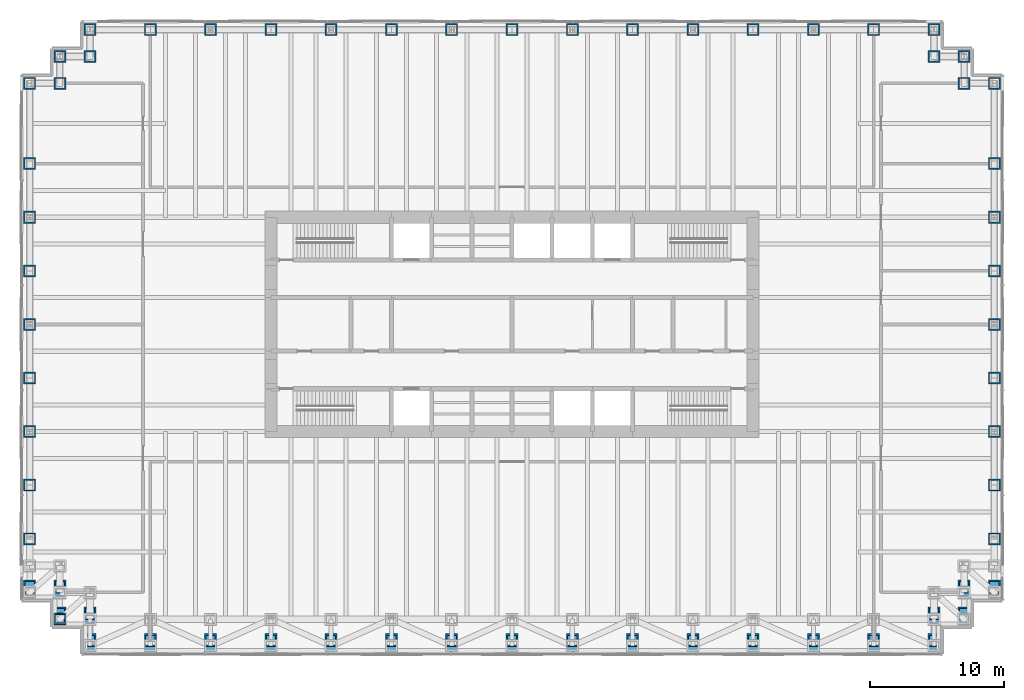
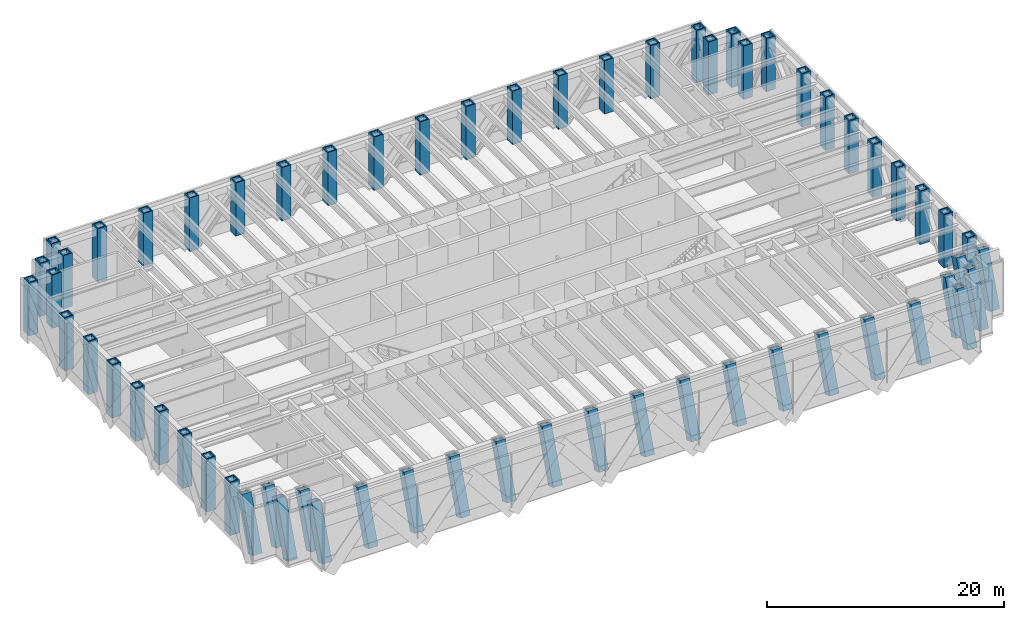
# One storey, part 1 of 16: 62 columns, 1 member.
"""IFC4 building model written with IfcOpenShell, lengths in metres."""

from ifc_helpers import new_model, si_unit, direction, frame, origin, origin_2d, place, context, subcontext, project, spatial, hollow_rectangle, extrude, material, material_profile, profile_set, type_object, element, save


model = new_model("IFC4")

# Units and contexts
model_context = context("Model", 3, precision=1e-05, world=origin(), true_north=direction((0.0, 1.0)))
body_context = subcontext(model_context, "Body", "Model", "MODEL_VIEW")
ifc_project = project(units=[si_unit("LENGTHUNIT", "METRE"), si_unit("AREAUNIT", "SQUARE_METRE"), si_unit("VOLUMEUNIT", "CUBIC_METRE"), si_unit("PLANEANGLEUNIT", "RADIAN"), si_unit("MASSUNIT", "GRAM", prefix="KILO")], contexts=[model_context])

# Site, building, storey
site_placement = place(None, origin())
site = spatial("IfcSite", under=ifc_project, at=site_placement, CompositionType="ELEMENT")
building_placement = place(site_placement, origin())
building = spatial("IfcBuilding", under=site, at=building_placement, Name="Rheinbord Bourse Tower", CompositionType="ELEMENT")
storey_placement = place(building_placement, frame((0.0, 0.0, 95.0)))
storey = spatial("IfcBuildingStorey", under=building, at=storey_placement, Name="L20", CompositionType="ELEMENT", Elevation=95.0)

# Columns
ifc_material_1 = material(Name="Steel S460M", Category="steel")
ifc_material_profile_1 = material_profile(ifc_material_1, hollow_rectangle(XDim=0.89990234375, YDim=0.89990234375, WallThickness=0.110107421875, at=origin_2d()), Name="BOX 900x900x110")
ifc_profile_set_1 = profile_set([ifc_material_profile_1], Name="Steel S460M")
column_type_1 = type_object("IfcColumnType", Name="RAKING COLUMN BOX 900x900x110", PredefinedType="USERDEFINED", material=ifc_profile_set_1)
for number, where, z_axis, x_axis, name in (
    (1, (4.5, 0.056396484375, 0.155029296875), (0.0, 0.341743063087, 0.939793423488), (0.0, -0.939793423488, 0.341743063087), "Column SW-E L20"),
    (2, (9.0, 0.056396484375, 0.155029296875), (0.0, 0.341743063087, 0.939793423488), (0.0, -0.939793423488, 0.341743063087), "Column S-9 L20"),
    (3, (13.5, 0.056396484375, 0.155029296875), (0.0, 0.341743063087, 0.939793423488), (0.0, -0.939793423488, 0.341743063087), "Column S-13.5 L20"),
    (4, (18.0, 0.056396484375, 0.155029296875), (0.0, 0.341743063087, 0.939793423488), (0.0, -0.939793423488, 0.341743063087), "Column S-18 L20"),
    (5, (22.5, 0.056396484375, 0.155029296875), (0.0, 0.341743063087, 0.939793423488), (0.0, -0.939793423488, 0.341743063087), "Column S-22.5 L20"),
    (6, (27.0, 0.056396484375, 0.155029296875), (0.0, 0.341743063087, 0.939793423488), (0.0, -0.939793423488, 0.341743063087), "Column S-27 L20"),
    (7, (31.5, 0.056396484375, 0.155029296875), (0.0, 0.341743063087, 0.939793423488), (0.0, -0.939793423488, 0.341743063087), "Column S-31.5 L20"),
    (8, (36.0, 0.056396484375, 0.155029296875), (0.0, 0.341743063087, 0.939793423488), (0.0, -0.939793423488, 0.341743063087), "Column S-36 L20"),
    (9, (40.5, 0.056396484375, 0.155029296875), (0.0, 0.341743063087, 0.939793423488), (0.0, -0.939793423488, 0.341743063087), "Column S-40.5 L20"),
    (10, (45.0, 0.056396484375, 0.155029296875), (0.0, 0.341743063087, 0.939793423488), (0.0, -0.939793423488, 0.341743063087), "Column S-45 L20"),
    (11, (49.5, 0.056396484375, 0.155029296875), (0.0, 0.341743063087, 0.939793423488), (0.0, -0.939793423488, 0.341743063087), "Column S-49.5 L20"),
    (12, (54.0, 0.056396484375, 0.155029296875), (0.0, 0.341743063087, 0.939793423488), (0.0, -0.939793423488, 0.341743063087), "Column S-54 L20"),
    (13, (58.5, 0.056396484375, 0.155029296875), (0.0, 0.341743063087, 0.939793423488), (0.0, -0.939793423488, 0.341743063087), "Column S-58.5 L20"),
    (14, (63.0, 0.056396484375, 0.155029296875), (0.0, 0.341743063087, 0.939793423488), (0.0, -0.939793423488, 0.341743063087), "Column S-63 L20"),
    (15, (67.5, 0.056396484375, 0.155029296875), (0.0, 0.341743063087, 0.939793423488), (0.0, -0.939793423488, 0.341743063087), "Column SE-E L20"),
    (16, (67.5, 2.056396484375, 0.155029296875), (0.0, 0.341743063087, 0.939793423488), (0.0, -0.939793423488, 0.341743063087), "Column SE-D L20"),
    (17, (69.75, 2.056396484375, 0.155029296875), (0.0, 0.341743063087, 0.939793423488), (-1.0, 0.0, 0.0), "Column SE-C L20"),
    (18, (69.75, 4.056396484375, 0.155029296875), (0.0, 0.341743063087, 0.939793423488), (-1.0, 0.0, 0.0), "Column SE-B L20"),
    (19, (72.0, 4.056396484375, 0.155029296875), (0.0, 0.341743063087, 0.939793423488), (-1.0, 0.0, 0.0), "Column SE-A L20"),
    (20, (0.0, 4.056396484375, 0.155029296875), (0.0, 0.341743063087, 0.939793423488), (-1.0, 0.0, 0.0), "Column SW-A L20"),
    (21, (2.25, 4.056396484375, 0.155029296875), (0.0, 0.341743063087, 0.939793423488), (-1.0, 0.0, 0.0), "Column SW-B L20"),
    (22, (2.25, 2.056396484375, 0.155029296875), (0.0, 0.341743063087, 0.939793423488), (-1.0, 0.0, 0.0), "Column SW-C L20"),
    (23, (4.5, 2.056396484375, 0.155029296875), (0.0, 0.341743063087, 0.939793423488), (0.0, -0.939793423488, 0.341743063087), "Column SW-D L20"),
):
    element("IfcColumn", number, at=place(storey_placement, frame(where, z_axis=z_axis, x_axis=x_axis)), inside=storey, type_object=column_type_1, Name=name, ObjectType="RAKING COLUMN", PredefinedType="USERDEFINED", context=body_context, shape_type="SweptSolid", body=[
        extrude(hollow_rectangle(XDim=0.89990234375, YDim=0.89990234375, WallThickness=0.110107421875, at=origin_2d()), origin(), (0.0, 0.0, 1.0), 5.5224609375),
    ])
ifc_material_2 = material(Name="Steel S460M", Category="steel")
ifc_material_profile_2 = material_profile(ifc_material_2, hollow_rectangle(XDim=0.89990234375, YDim=0.89990234375, WallThickness=0.110107421875, at=origin_2d()), Name="BOX 900x900x110")
ifc_profile_set_2 = profile_set([ifc_material_profile_2], Name="Steel S460M")
column_type_2 = type_object("IfcColumnType", Name="TUBE COLUMN BOX 900x900x110", PredefinedType="COLUMN", material=ifc_profile_set_2)
for number, where, z_axis, x_axis, name in (
    (24, (72.0, 8.0, 0.0), (0.0, 0.0, 1.0), (1.0, 0.0, 0.0), "Column E-8 L20"),
    (25, (72.0, 12.0, 0.0), (0.0, 0.0, 1.0), (1.0, 0.0, 0.0), "Column E-12 L20"),
    (26, (72.0, 16.0, 0.0), (0.0, 0.0, 1.0), (1.0, 0.0, 0.0), "Column E-16 L20"),
    (27, (72.0, 20.0, 0.0), (0.0, 0.0, 1.0), (1.0, 0.0, 0.0), "Column E-20 L20"),
    (28, (72.0, 24.0, 0.0), (0.0, 0.0, 1.0), (1.0, 0.0, 0.0), "Column E-24 L20"),
    (29, (72.0, 28.0, 0.0), (0.0, 0.0, 1.0), (1.0, 0.0, 0.0), "Column E-28 L20"),
    (30, (72.0, 32.0, 0.0), (0.0, 0.0, 1.0), (1.0, 0.0, 0.0), "Column E-32 L20"),
    (31, (72.0, 36.0, 0.0), (0.0, 0.0, 1.0), (1.0, 0.0, 0.0), "Column E-36 L20"),
    (32, (72.0, 42.0, 0.0), (0.0, 0.0, 1.0), (1.0, 0.0, 0.0), "Column NE-A L20"),
    (33, (69.75, 42.0, 0.0), (0.0, 0.0, 1.0), (1.0, 0.0, 0.0), "Column NE-B L20"),
    (34, (69.75, 44.0, 0.0), (0.0, 0.0, 1.0), (1.0, 0.0, 0.0), "Column NE-C L20"),
    (35, (67.5, 44.0, 0.0), (0.0, 0.0, 1.0), (0.0, 1.0, 0.0), "Column NE-D L20"),
    (36, (67.5, 46.0, 0.0), (0.0, 0.0, 1.0), (0.0, 1.0, 0.0), "Column NE-E L20"),
    (37, (63.0, 46.0, 0.0), (0.0, 0.0, 1.0), (0.0, 1.0, 0.0), "Column N-63 L20"),
    (38, (58.5, 46.0, 0.0), (0.0, 0.0, 1.0), (0.0, 1.0, 0.0), "Column N-58.5 L20"),
    (39, (54.0, 46.0, 0.0), (0.0, 0.0, 1.0), (0.0, 1.0, 0.0), "Column N-54 L20"),
    (40, (49.5, 46.0, 0.0), (0.0, 0.0, 1.0), (0.0, 1.0, 0.0), "Column N-49.5 L20"),
    (41, (45.0, 46.0, 0.0), (0.0, 0.0, 1.0), (0.0, 1.0, 0.0), "Column N-45 L20"),
    (42, (40.5, 46.0, 0.0), (0.0, 0.0, 1.0), (0.0, 1.0, 0.0), "Column N-40.5 L20"),
    (43, (36.0, 46.0, 0.0), (0.0, 0.0, 1.0), (0.0, 1.0, 0.0), "Column N-36 L20"),
    (44, (31.5, 46.0, 0.0), (0.0, 0.0, 1.0), (0.0, 1.0, 0.0), "Column N-31.5 L20"),
    (45, (27.0, 46.0, 0.0), (0.0, 0.0, 1.0), (0.0, 1.0, 0.0), "Column N-27 L20"),
    (46, (22.5, 46.0, 0.0), (0.0, 0.0, 1.0), (0.0, 1.0, 0.0), "Column N-22.5 L20"),
    (47, (18.0, 46.0, 0.0), (0.0, 0.0, 1.0), (0.0, 1.0, 0.0), "Column N-18 L20"),
    (48, (13.5, 46.0, 0.0), (0.0, 0.0, 1.0), (0.0, 1.0, 0.0), "Column N-13.5 L20"),
    (49, (9.0, 46.0, 0.0), (0.0, 0.0, 1.0), (0.0, 1.0, 0.0), "Column N-9 L20"),
    (50, (4.5, 46.0, 0.0), (0.0, 0.0, 1.0), (0.0, 1.0, 0.0), "Column NW-E L20"),
    (51, (4.5, 44.0, 0.0), (0.0, 0.0, 1.0), (0.0, 1.0, 0.0), "Column NW-D L20"),
    (52, (2.25, 44.0, 0.0), (0.0, 0.0, 1.0), (1.0, 0.0, 0.0), "Column NW-C L20"),
    (53, (2.25, 42.0, 0.0), (0.0, 0.0, 1.0), (1.0, 0.0, 0.0), "Column NW-B L20"),
    (54, (0.0, 42.0, 0.0), (0.0, 0.0, 1.0), (1.0, 0.0, 0.0), "Column NW-A L20"),
    (55, (0.0, 36.0, 0.0), (0.0, 0.0, 1.0), (1.0, 0.0, 0.0), "Column W-36 L20"),
    (56, (0.0, 32.0, 0.0), (0.0, 0.0, 1.0), (1.0, 0.0, 0.0), "Column W-32 L20"),
    (57, (0.0, 28.0, 0.0), (0.0, 0.0, 1.0), (1.0, 0.0, 0.0), "Column W-28 L20"),
    (58, (0.0, 24.0, 0.0), (0.0, 0.0, 1.0), (1.0, 0.0, 0.0), "Column W-24 L20"),
    (59, (0.0, 20.0, 0.0), (0.0, 0.0, 1.0), (1.0, 0.0, 0.0), "Column W-20 L20"),
    (60, (0.0, 16.0, 0.0), (0.0, 0.0, 1.0), (1.0, 0.0, 0.0), "Column W-16 L20"),
    (61, (0.0, 12.0, 0.0), (0.0, 0.0, 1.0), (1.0, 0.0, 0.0), "Column W-12 L20"),
    (62, (0.0, 8.0, 0.0), (0.0, 0.0, 1.0), (1.0, 0.0, 0.0), "Column W-8 L20"),
):
    element("IfcColumn", number, at=place(storey_placement, frame(where, z_axis=z_axis, x_axis=x_axis)), inside=storey, type_object=column_type_2, Name=name, PredefinedType="COLUMN", context=body_context, shape_type="SweptSolid", body=[
        extrude(hollow_rectangle(XDim=0.89990234375, YDim=0.89990234375, WallThickness=0.110107421875, at=origin_2d()), origin(), (0.0, 0.0, 1.0), 5.5),
    ])

# Member
ifc_material_3 = material(Name="Steel S460M", Category="steel")
ifc_material_profile_3 = material_profile(ifc_material_3, hollow_rectangle(XDim=0.89990234375, YDim=0.89990234375, WallThickness=0.110107421875, at=origin_2d()), Name="BOX 900x900x110")
ifc_profile_set_3 = profile_set([ifc_material_profile_3], Name="Steel S460M")
member_type = type_object("IfcMemberType", Name="RAKING NODE PIECE BOX 900x900x110", PredefinedType="USERDEFINED", material=ifc_profile_set_3)
member_placement = place(storey_placement, frame((2.25, 2.0, 0.0), z_axis=(0.0, 0.341861886176, 0.939750206587), x_axis=(-1.0, 0.0, 0.0)))
element("IfcMember", 63, at=member_placement, inside=storey, type_object=member_type, Name="Node piece SW-C L20 foot", ObjectType="NODE PIECE", PredefinedType="USERDEFINED", context=body_context, shape_type="SweptSolid", body=[
    extrude(hollow_rectangle(XDim=0.89990234375, YDim=0.89990234375, WallThickness=0.110107421875, at=origin_2d()), origin(), (0.0, 0.0, 1.0), 0.1650390625),
])

save(model, "model.ifc")
